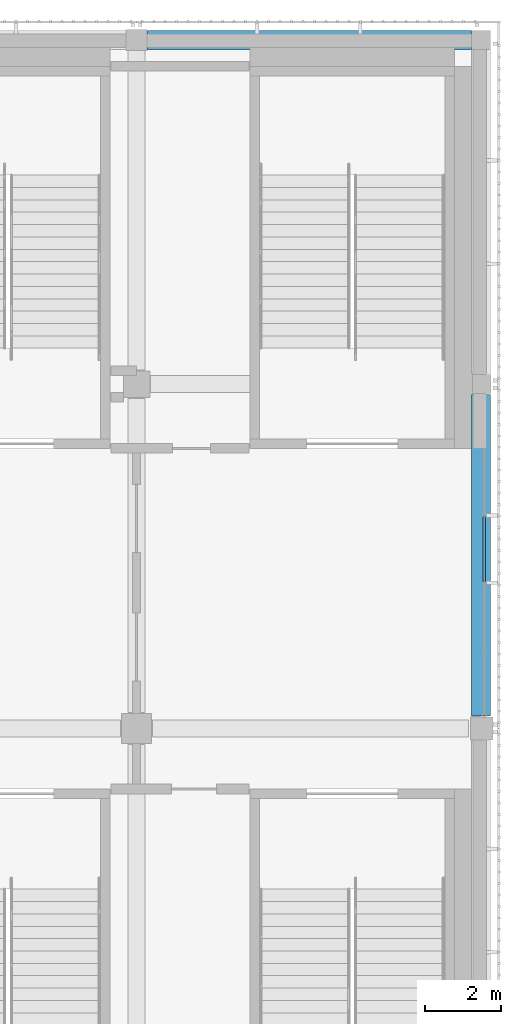
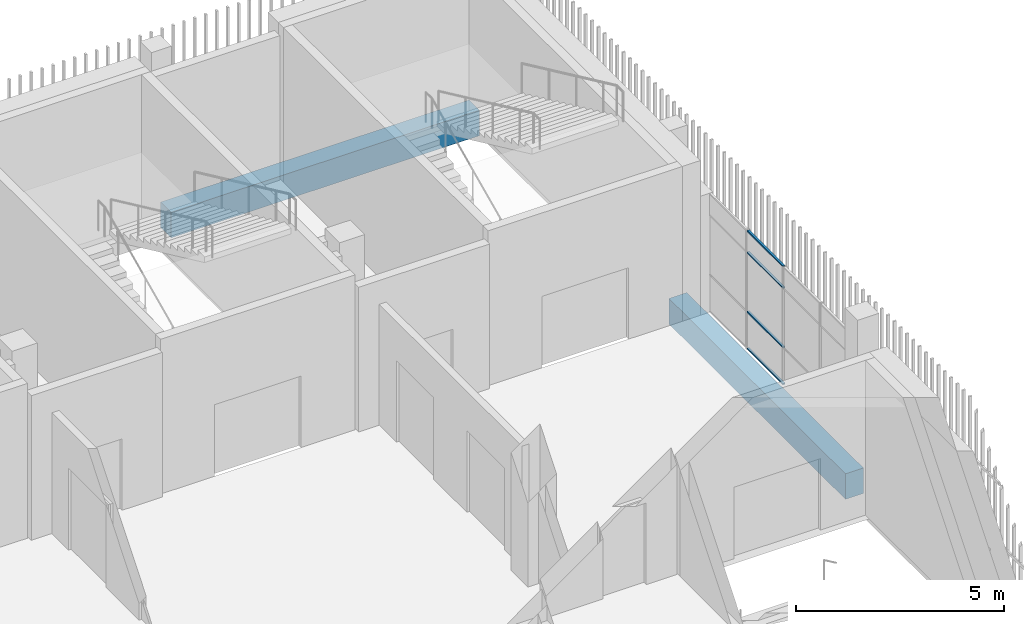
# One storey, part 61 of 126: 4 members, 2 beams, 1 element without a shape of its own.
"""IFC4 building model written with IfcOpenShell, lengths in metres."""

from ifc_helpers import new_model, si_unit, direction, frame, origin, origin_2d, place, context, subcontext, project, spatial, rectangle, hollow_rectangle, extrude, material, layer, layer_set, material_profile, profile_set, type_object, element, aggregate, save


model = new_model("IFC4")

# Units and contexts
model_context = context("Model", 3, precision=1e-05, world=origin(), true_north=direction((0.0, 1.0)))
body_context = subcontext(model_context, "Body", "Model", "MODEL_VIEW")
ifc_project = project(units=[si_unit("LENGTHUNIT", "METRE"), si_unit("AREAUNIT", "SQUARE_METRE"), si_unit("VOLUMEUNIT", "CUBIC_METRE"), si_unit("PLANEANGLEUNIT", "RADIAN"), si_unit("MASSUNIT", "GRAM", prefix="KILO")], contexts=[model_context])

# Site, building, storey
site_placement = place(None, origin())
site = spatial("IfcSite", under=ifc_project, at=site_placement, CompositionType="ELEMENT")
building_placement = place(site_placement, origin())
building = spatial("IfcBuilding", under=site, at=building_placement, Name="Shirokan Park Arena", CompositionType="ELEMENT")
storey_placement = place(building_placement, frame((0.0, 0.0, 6.3701171875)))
storey = spatial("IfcBuildingStorey", under=building, at=storey_placement, Name="L01", CompositionType="ELEMENT", Elevation=6.3701171875)

# Beams
ifc_material_1 = material(Name="Concrete C35", Category="concrete")
ifc_material_profile_1 = material_profile(ifc_material_1, rectangle(XDim=0.5, YDim=0.75, at=origin_2d()), Name="500x750")
ifc_profile_set_1 = profile_set([ifc_material_profile_1], Name="Concrete C35")
beam_type = type_object("IfcBeamType", Name="RC girder 500x750", PredefinedType="BEAM", material=ifc_profile_set_1)
beam_1_placement = place(storey_placement, frame((136.775146484375, 109.199951171875, -0.72509765625), z_axis=(1.0, 0.0, 0.0), x_axis=(0.0, 1.0, 0.0)))
element("IfcBeam", 1, at=beam_1_placement, inside=storey, type_object=beam_type, Name="Girder 16N-17N L01", PredefinedType="BEAM", context=body_context, shape_type="SweptSolid", body=[
    extrude(rectangle(XDim=0.5, YDim=0.75, at=origin_2d()), origin(), (0.0, 0.0, 1.0), 8.57470703125),
])
beam_2_placement = place(storey_placement, frame((145.60009765625, 91.3251953125, -0.72509765625), z_axis=(0.0, 1.0, 0.0), x_axis=(-1.0, 0.0, 0.0)))
element("IfcBeam", 2, at=beam_2_placement, inside=storey, type_object=beam_type, Name="Girder 17L-17M L01", PredefinedType="BEAM", context=body_context, shape_type="SweptSolid", body=[
    extrude(rectangle(XDim=0.5, YDim=0.75, at=origin_2d()), origin(), (0.0, 0.0, 1.0), 8.499755859375),
])

# Curtain wall, members
ifc_material_2 = material(Name="Steel and glass curtain wall", Category="steel")
ifc_layer = layer(ifc_material_2, 0.1201171875)
ifc_layer_set = layer_set([ifc_layer], Name="Steel and glass curtain wall 120 mm")
curtain_wall_type = type_object("IfcCurtainWallType", Name="Curtain wall corner block side bay 120", PredefinedType="NOTDEFINED", material=ifc_layer_set)
curtain_wall_placement = place(storey_placement, origin())
curtain_wall = element("IfcCurtainWall", 3, at=curtain_wall_placement, inside=storey, type_object=curtain_wall_type, Name="Curtain wall east bay 11 L01", PredefinedType="NOTDEFINED")
ifc_material_3 = material(Name="Steel S355", Category="steel")
ifc_material_profile_2 = material_profile(ifc_material_3, hollow_rectangle(XDim=0.06005859375, YDim=0.0400390625, WallThickness=0.00390625, at=origin_2d()), Name="RHS 60x40x4")
ifc_profile_set_2 = profile_set([ifc_material_profile_2], Name="Steel S355")
member_type = type_object("IfcMemberType", Name="Transom RHS 60x40x4", PredefinedType="MULLION", material=ifc_profile_set_2)
member_1_placement = place(storey_placement, frame((145.68994140625, 94.875, 0.019775390625), z_axis=(0.0, 1.0, 0.0), x_axis=(-1.0, 0.0, 0.0)))
member_1 = element("IfcMember", 4, at=member_1_placement, type_object=member_type, Name="CW3 transom 3.1", PredefinedType="MULLION", context=body_context, shape_type="SweptSolid", body=[
    extrude(hollow_rectangle(XDim=0.06005859375, YDim=0.0400390625, WallThickness=0.00390625, at=origin_2d()), origin(), (0.0, 0.0, 1.0), 1.72509765625),
])
member_2_placement = place(storey_placement, frame((145.68994140625, 94.875, 1.099853515625), z_axis=(0.0, 1.0, 0.0), x_axis=(-1.0, 0.0, 0.0)))
member_2 = element("IfcMember", 5, at=member_2_placement, type_object=member_type, Name="CW3 transom 3.2", PredefinedType="MULLION", context=body_context, shape_type="SweptSolid", body=[
    extrude(hollow_rectangle(XDim=0.06005859375, YDim=0.0400390625, WallThickness=0.00390625, at=origin_2d()), origin(), (0.0, 0.0, 1.0), 1.72509765625),
])
member_3_placement = place(storey_placement, frame((145.68994140625, 94.875, 2.849853515625), z_axis=(0.0, 1.0, 0.0), x_axis=(-1.0, 0.0, 0.0)))
member_3 = element("IfcMember", 6, at=member_3_placement, type_object=member_type, Name="CW3 transom 3.3", PredefinedType="MULLION", context=body_context, shape_type="SweptSolid", body=[
    extrude(hollow_rectangle(XDim=0.06005859375, YDim=0.0400390625, WallThickness=0.00390625, at=origin_2d()), origin(), (0.0, 0.0, 1.0), 1.72509765625),
])
member_4_placement = place(storey_placement, frame((145.68994140625, 94.875, 3.47998046875), z_axis=(0.0, 1.0, 0.0), x_axis=(-1.0, 0.0, 0.0)))
member_4 = element("IfcMember", 7, at=member_4_placement, type_object=member_type, Name="CW3 transom 3.4", PredefinedType="MULLION", context=body_context, shape_type="SweptSolid", body=[
    extrude(hollow_rectangle(XDim=0.06005859375, YDim=0.0400390625, WallThickness=0.00390625, at=origin_2d()), origin(), (0.0, 0.0, 1.0), 1.72509765625),
])
aggregate(curtain_wall, [member_1, member_2, member_3, member_4])

save(model, "model.ifc")
